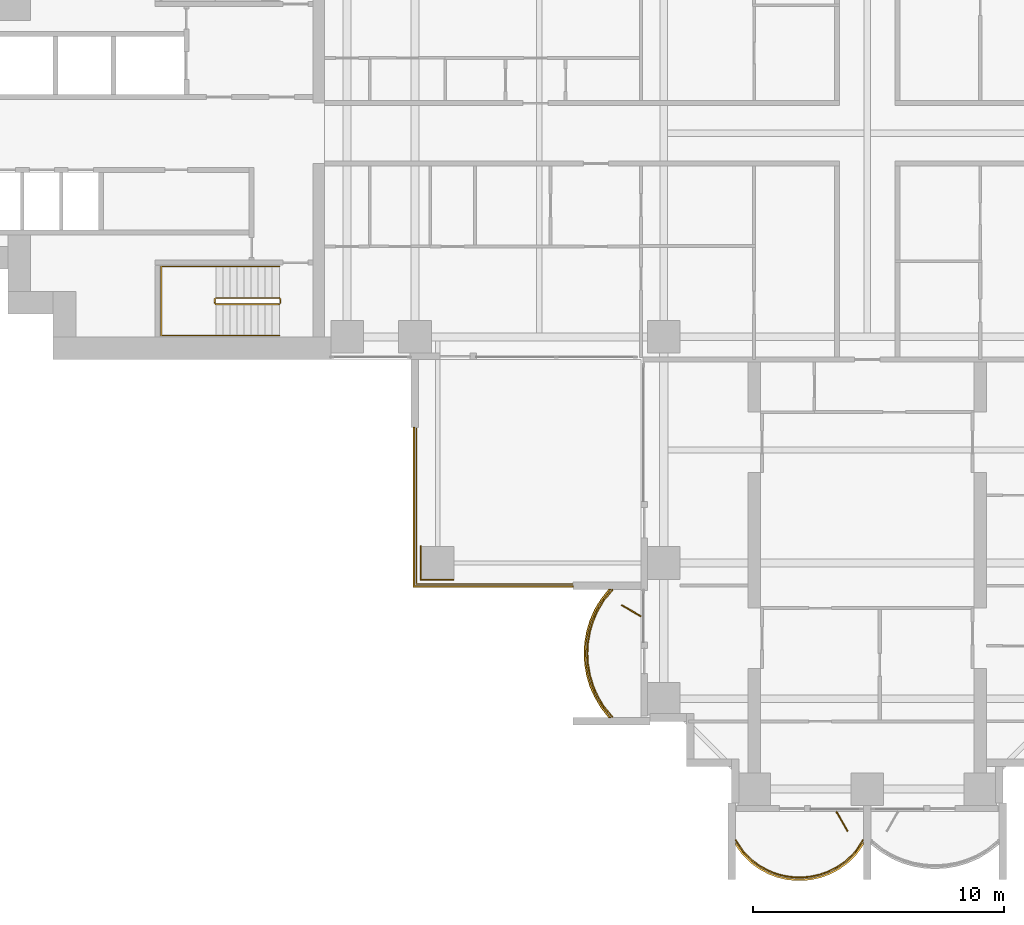
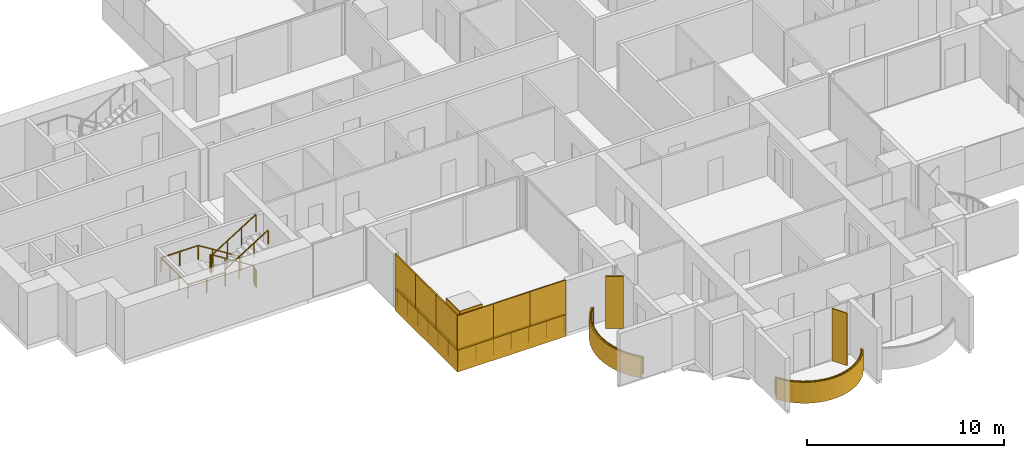
# One storey, part 17 of 21: 11 coverings, 5 railings, 2 shading devices.
"""IFC4 building model written with IfcOpenShell, lengths in metres."""

from ifc_helpers import new_model, si_unit, direction, frame, origin, origin_2d, place, context, subcontext, project, spatial, polyline, rectangle, outline, extrude, material, layer, layer_set, type_object, element, save


model = new_model("IFC4")

# Units and contexts
model_context = context("Model", 3, precision=1e-05, world=origin(), true_north=direction((0.0, 1.0)))
body_context = subcontext(model_context, "Body", "Model", "MODEL_VIEW")
ifc_project = project(units=[si_unit("LENGTHUNIT", "METRE"), si_unit("AREAUNIT", "SQUARE_METRE"), si_unit("VOLUMEUNIT", "CUBIC_METRE"), si_unit("PLANEANGLEUNIT", "RADIAN"), si_unit("MASSUNIT", "GRAM", prefix="KILO")], contexts=[model_context])

# Site, building, storey
site_placement = place(None, origin())
site = spatial("IfcSite", under=ifc_project, at=site_placement, CompositionType="ELEMENT")
building_placement = place(site_placement, origin())
building = spatial("IfcBuilding", under=site, at=building_placement, Name="Perihelion Cross Residences", CompositionType="ELEMENT")
storey_placement = place(building_placement, frame((0.0, 0.0, 54.0)))
storey = spatial("IfcBuildingStorey", under=building, at=storey_placement, Name="L10", CompositionType="ELEMENT", Elevation=54.0)

# Coverings
ifc_material_1 = material(Name="Bronze anodised aluminium", Category="aluminium")
ifc_layer_1 = layer(ifc_material_1, 0.070068359375)
ifc_layer_set_1 = layer_set([ifc_layer_1], Name="Balcony fascia 1300")
covering_type_1 = type_object("IfcCoveringType", Name="Balcony fascia 1300", PredefinedType="CLADDING", material=ifc_layer_set_1)
covering_1_placement = place(storey_placement, frame((0.0, 0.0, -0.199951171875)))
element("IfcCovering", 1, at=covering_1_placement, inside=storey, type_object=covering_type_1, Name="Fascia BF1 L10 south side west bay 2", PredefinedType="CLADDING", context=body_context, shape_type="SweptSolid", body=[
    extrude(outline(polyline([(-10.59765625, -18.53515625), (-10.85498046875, -18.96826171875), (-11.04248046875, -19.401123046875), (-11.170654296875, -19.833984375), (-11.245361328125, -20.26708984375), (-11.27001953125, -20.699951171875), (-11.245361328125, -21.133056640625), (-11.170654296875, -21.56591796875), (-11.04248046875, -21.998779296875), (-10.85498046875, -22.431884765625), (-10.59765625, -22.86474609375), (-10.28955078125, -23.25), (-10.199951171875, -23.25), (-10.5400390625, -22.824951171875), (-10.792724609375, -22.39990234375), (-10.9765625, -21.97509765625), (-11.1025390625, -21.550048828125), (-11.17578125, -21.125), (-11.199951171875, -20.699951171875), (-11.17578125, -20.27490234375), (-11.1025390625, -19.85009765625), (-10.9765625, -19.425048828125), (-10.792724609375, -19.0), (-10.5400390625, -18.574951171875), (-10.199951171875, -18.14990234375), (-10.28955078125, -18.14990234375), (-10.59765625, -18.53515625)])), origin(), (0.0, 0.0, 1.0), 1.300048828125),
])
covering_2_placement = place(storey_placement, frame((0.0, 0.0, -0.199951171875)))
element("IfcCovering", 2, at=covering_2_placement, inside=storey, type_object=covering_type_1, Name="Fascia BF1 L10 south tip south bay 1", PredefinedType="CLADDING", context=body_context, shape_type="SweptSolid", body=[
    extrude(outline(polyline([(-4.963134765625, -28.722412109375), (-4.61474609375, -29.060791015625), (-4.2666015625, -29.308837890625), (-3.91845703125, -29.4912109375), (-3.5703125, -29.620361328125), (-3.22216796875, -29.703369140625), (-2.8740234375, -29.743896484375), (-2.52587890625, -29.743896484375), (-2.177734375, -29.703369140625), (-1.82958984375, -29.620361328125), (-1.4814453125, -29.4912109375), (-1.13330078125, -29.308837890625), (-0.78515625, -29.060791015625), (-0.43701171875, -28.722412109375), (-0.14990234375, -28.320556640625), (-0.14990234375, -28.199951171875), (-0.489990234375, -28.6767578125), (-0.830078125, -29.007080078125), (-1.169921875, -29.2490234375), (-1.510009765625, -29.42724609375), (-1.85009765625, -29.553466796875), (-2.18994140625, -29.63427734375), (-2.530029296875, -29.674072265625), (-2.8701171875, -29.674072265625), (-3.2099609375, -29.63427734375), (-3.550048828125, -29.553466796875), (-3.889892578125, -29.42724609375), (-4.22998046875, -29.2490234375), (-4.570068359375, -29.007080078125), (-4.909912109375, -28.6767578125), (-5.25, -28.199951171875), (-5.25, -28.320556640625), (-4.963134765625, -28.722412109375)])), origin(), (0.0, 0.0, 1.0), 1.300048828125),
])

# Railings
ifc_material_2 = material(Name="Bronze anodised aluminium", Category="aluminium")
railing_type_1 = type_object("IfcRailingType", Name="Balcony guard 1100", PredefinedType="GUARDRAIL", material=ifc_material_2)
railing_1_placement = place(storey_placement, frame((-10.139892578125, -18.175048828125, 0.0)))
element("IfcRailing", 3, at=railing_1_placement, inside=storey, type_object=railing_type_1, Name="Guard GU1 L10 south side west bay 2 balcony", PredefinedType="GUARDRAIL", context=body_context, shape_type="SweptSolid", body=[
    extrude(rectangle(XDim=0.048095703125, YDim=0.048095703125, at=origin_2d()), frame((0.0, 0.0, 1.076171875), z_axis=(-0.647837396648, -0.761778647315, 0.0), x_axis=(0.761778647315, -0.647837396648, 0.0)), (0.0, 0.0, 1.0), 0.52490234375),
    extrude(rectangle(XDim=0.048095703125, YDim=0.048095703125, at=origin_2d()), frame((-0.340087890625, -0.39990234375, 1.076171875), z_axis=(-0.511006381501, -0.859576918062, 0.0), x_axis=(0.859576918062, -0.511006381501, 0.0)), (0.0, 0.0, 1.0), 0.494384765625),
    extrude(rectangle(XDim=0.048095703125, YDim=0.048095703125, at=origin_2d()), frame((-0.5927734375, -0.824951171875, 1.076171875), z_axis=(-0.397415137459, -0.917638931453, 0.0), x_axis=(0.917638931453, -0.397415137459, 0.0)), (0.0, 0.0, 1.0), 0.463134765625),
    extrude(rectangle(XDim=0.048095703125, YDim=0.048095703125, at=origin_2d()), frame((-0.77685546875, -1.25, 1.076171875), z_axis=(-0.283656975924, -0.958925815697, 0.0), x_axis=(0.958925815697, -0.283656975924, 0.0)), (0.0, 0.0, 1.0), 0.443359375),
    extrude(rectangle(XDim=0.048095703125, YDim=0.048095703125, at=origin_2d()), frame((-0.902587890625, -1.675048828125, 1.076171875), z_axis=(-0.170456843651, -0.985365142702, 0.0), x_axis=(0.985365142702, -0.170456843651, 0.0)), (0.0, 0.0, 1.0), 0.43115234375),
    extrude(rectangle(XDim=0.048095703125, YDim=0.048095703125, at=origin_2d()), frame((-0.97607421875, -2.099853515625, 1.076171875), z_axis=(-0.056200523353, -0.9984195016, 0.0), x_axis=(0.9984195016, -0.056200523353, 0.0)), (0.0, 0.0, 1.0), 0.42578125),
    extrude(rectangle(XDim=0.048095703125, YDim=0.048095703125, at=origin_2d()), frame((-1.0, -2.52490234375, 1.076171875), z_axis=(0.056200523353, -0.9984195016, 0.0), x_axis=(0.9984195016, 0.056200523353, 0.0)), (0.0, 0.0, 1.0), 0.42578125),
    extrude(rectangle(XDim=0.048095703125, YDim=0.048095703125, at=origin_2d()), frame((-0.97607421875, -2.949951171875, 1.076171875), z_axis=(0.17036177859, -0.985381583142, 0.0), x_axis=(0.985381583142, 0.17036177859, 0.0)), (0.0, 0.0, 1.0), 0.431396484375),
    extrude(rectangle(XDim=0.048095703125, YDim=0.048095703125, at=origin_2d()), frame((-0.902587890625, -3.375, 1.076171875), z_axis=(0.283656975924, -0.958925815697, 0.0), x_axis=(0.958925815697, 0.283656975924, 0.0)), (0.0, 0.0, 1.0), 0.443359375),
    extrude(rectangle(XDim=0.048095703125, YDim=0.048095703125, at=origin_2d()), frame((-0.77685546875, -3.800048828125, 1.076171875), z_axis=(0.397607437634, -0.91755562531, 0.0), x_axis=(0.91755562531, 0.397607437634, 0.0)), (0.0, 0.0, 1.0), 0.462890625),
    extrude(rectangle(XDim=0.048095703125, YDim=0.048095703125, at=origin_2d()), frame((-0.5927734375, -4.224853515625, 1.076171875), z_axis=(0.511006381501, -0.859576918062, 0.0), x_axis=(0.859576918062, 0.511006381501, 0.0)), (0.0, 0.0, 1.0), 0.494384765625),
    extrude(rectangle(XDim=0.048095703125, YDim=0.048095703125, at=origin_2d()), frame((-0.340087890625, -4.64990234375, 1.076171875), z_axis=(0.647607934281, -0.761973728849, 0.0), x_axis=(0.761973728849, 0.647607934281, 0.0)), (0.0, 0.0, 1.0), 0.525146484375),
    extrude(rectangle(XDim=0.0419921875, YDim=0.0419921875, at=origin_2d()), origin(), (0.0, 0.0, 1.0), 1.052001953125),
    extrude(rectangle(XDim=0.0419921875, YDim=0.0419921875, at=origin_2d()), frame((-0.340087890625, -0.39990234375, 0.0)), (0.0, 0.0, 1.0), 1.052001953125),
    extrude(rectangle(XDim=0.0419921875, YDim=0.0419921875, at=origin_2d()), frame((-0.5927734375, -0.824951171875, 0.0)), (0.0, 0.0, 1.0), 1.052001953125),
    extrude(rectangle(XDim=0.0419921875, YDim=0.0419921875, at=origin_2d()), frame((-0.77685546875, -1.25, 0.0)), (0.0, 0.0, 1.0), 1.052001953125),
    extrude(rectangle(XDim=0.0419921875, YDim=0.0419921875, at=origin_2d()), frame((-0.902587890625, -1.675048828125, 0.0)), (0.0, 0.0, 1.0), 1.052001953125),
    extrude(rectangle(XDim=0.0419921875, YDim=0.0419921875, at=origin_2d()), frame((-0.97607421875, -2.099853515625, 0.0)), (0.0, 0.0, 1.0), 1.052001953125),
    extrude(rectangle(XDim=0.0419921875, YDim=0.0419921875, at=origin_2d()), frame((-1.0, -2.52490234375, 0.0)), (0.0, 0.0, 1.0), 1.052001953125),
    extrude(rectangle(XDim=0.0419921875, YDim=0.0419921875, at=origin_2d()), frame((-0.97607421875, -2.949951171875, 0.0)), (0.0, 0.0, 1.0), 1.052001953125),
    extrude(rectangle(XDim=0.0419921875, YDim=0.0419921875, at=origin_2d()), frame((-0.902587890625, -3.375, 0.0)), (0.0, 0.0, 1.0), 1.052001953125),
    extrude(rectangle(XDim=0.0419921875, YDim=0.0419921875, at=origin_2d()), frame((-0.77685546875, -3.800048828125, 0.0)), (0.0, 0.0, 1.0), 1.052001953125),
    extrude(rectangle(XDim=0.0419921875, YDim=0.0419921875, at=origin_2d()), frame((-0.5927734375, -4.224853515625, 0.0)), (0.0, 0.0, 1.0), 1.052001953125),
    extrude(rectangle(XDim=0.0419921875, YDim=0.0419921875, at=origin_2d()), frame((-0.340087890625, -4.64990234375, 0.0)), (0.0, 0.0, 1.0), 1.052001953125),
    extrude(rectangle(XDim=0.0419921875, YDim=0.0419921875, at=origin_2d()), frame((0.0, -5.050048828125, 0.0)), (0.0, 0.0, 1.0), 1.052001953125),
])
railing_2_placement = place(storey_placement, frame((-5.22509765625, -28.139892578125, 0.0)))
element("IfcRailing", 4, at=railing_2_placement, inside=storey, type_object=railing_type_1, Name="Guard GU1 L10 south tip south bay 1 balcony", PredefinedType="GUARDRAIL", context=body_context, shape_type="SweptSolid", body=[
    extrude(rectangle(XDim=0.048095703125, YDim=0.048095703125, at=origin_2d()), frame((0.0, 0.0, 1.076171875), z_axis=(0.55144309028, -0.834212513801, 0.0), x_axis=(0.834212513801, 0.55144309028, 0.0)), (0.0, 0.0, 1.0), 0.571533203125),
    extrude(rectangle(XDim=0.048095703125, YDim=0.048095703125, at=origin_2d()), frame((0.315185546875, -0.476806640625, 1.076171875), z_axis=(0.717080736691, -0.696990112603, 0.0), x_axis=(0.696990112603, 0.717080736691, 0.0)), (0.0, 0.0, 1.0), 0.473876953125),
    extrude(rectangle(XDim=0.048095703125, YDim=0.048095703125, at=origin_2d()), frame((0.655029296875, -0.80712890625, 1.076171875), z_axis=(0.814562360662, -0.580075995532, 0.0), x_axis=(0.580075995532, 0.814562360662, 0.0)), (0.0, 0.0, 1.0), 0.41748046875),
    extrude(rectangle(XDim=0.048095703125, YDim=0.048095703125, at=origin_2d()), frame((0.9951171875, -1.04931640625, 1.076171875), z_axis=(0.886005761733, -0.463674228502, 0.0), x_axis=(0.463674228502, 0.886005761733, 0.0)), (0.0, 0.0, 1.0), 0.3837890625),
    extrude(rectangle(XDim=0.048095703125, YDim=0.048095703125, at=origin_2d()), frame((1.335205078125, -1.227294921875, 1.076171875), z_axis=(0.937431552165, -0.348169621027, 0.0), x_axis=(0.348169621027, 0.937431552165, 0.0)), (0.0, 0.0, 1.0), 0.362548828125),
    extrude(rectangle(XDim=0.048095703125, YDim=0.048095703125, at=origin_2d()), frame((1.675048828125, -1.353515625, 1.076171875), z_axis=(0.972753741142, -0.231840805498, 0.0), x_axis=(0.231840805498, 0.972753741142, 0.0)), (0.0, 0.0, 1.0), 0.349609375),
    extrude(rectangle(XDim=0.048095703125, YDim=0.048095703125, at=origin_2d()), frame((2.01513671875, -1.4345703125, 1.076171875), z_axis=(0.993295952156, -0.11559909788, 0.0), x_axis=(0.11559909788, 0.993295952156, 0.0)), (0.0, 0.0, 1.0), 0.342041015625),
    extrude(rectangle(XDim=0.048095703125, YDim=0.048095703125, at=origin_2d()), frame((2.35498046875, -1.47412109375, 1.076171875), z_axis=(1.0, 0.0, 0.0), x_axis=(0.0, 1.0, 0.0)), (0.0, 0.0, 1.0), 0.340087890625),
    extrude(rectangle(XDim=0.048095703125, YDim=0.048095703125, at=origin_2d()), frame((2.695068359375, -1.47412109375, 1.076171875), z_axis=(0.993305477634, 0.11551721994, 0.0), x_axis=(-0.11551721994, 0.993305477634, 0.0)), (0.0, 0.0, 1.0), 0.34228515625),
    extrude(rectangle(XDim=0.048095703125, YDim=0.048095703125, at=origin_2d()), frame((3.03515625, -1.4345703125, 1.076171875), z_axis=(0.972716168284, 0.231998396458, 0.0), x_axis=(-0.231998396458, 0.972716168284, 0.0)), (0.0, 0.0, 1.0), 0.349365234375),
    extrude(rectangle(XDim=0.048095703125, YDim=0.048095703125, at=origin_2d()), frame((3.375, -1.353515625, 1.076171875), z_axis=(0.93751311099, 0.347949948587, 0.0), x_axis=(-0.347949948587, 0.93751311099, 0.0)), (0.0, 0.0, 1.0), 0.36279296875),
    extrude(rectangle(XDim=0.048095703125, YDim=0.048095703125, at=origin_2d()), frame((3.715087890625, -1.227294921875, 1.076171875), z_axis=(0.886005761733, 0.463674228502, 0.0), x_axis=(-0.463674228502, 0.886005761733, 0.0)), (0.0, 0.0, 1.0), 0.3837890625),
    extrude(rectangle(XDim=0.048095703125, YDim=0.048095703125, at=origin_2d()), frame((4.05517578125, -1.04931640625, 1.076171875), z_axis=(0.814365457194, 0.580352394782, 0.0), x_axis=(-0.580352394782, 0.814365457194, 0.0)), (0.0, 0.0, 1.0), 0.417236328125),
    extrude(rectangle(XDim=0.048095703125, YDim=0.048095703125, at=origin_2d()), frame((4.39501953125, -0.80712890625, 1.076171875), z_axis=(0.717330852669, 0.69673269466, 0.0), x_axis=(-0.69673269466, 0.717330852669, 0.0)), (0.0, 0.0, 1.0), 0.47412109375),
    extrude(rectangle(XDim=0.048095703125, YDim=0.048095703125, at=origin_2d()), frame((4.735107421875, -0.476806640625, 1.076171875), z_axis=(0.551145731138, 0.834409002258, 0.0), x_axis=(-0.834409002258, 0.551145731138, 0.0)), (0.0, 0.0, 1.0), 0.571533203125),
    extrude(rectangle(XDim=0.0419921875, YDim=0.0419921875, at=origin_2d()), origin(), (0.0, 0.0, 1.0), 1.052001953125),
    extrude(rectangle(XDim=0.0419921875, YDim=0.0419921875, at=origin_2d()), frame((0.315185546875, -0.476806640625, 0.0)), (0.0, 0.0, 1.0), 1.052001953125),
    extrude(rectangle(XDim=0.0419921875, YDim=0.0419921875, at=origin_2d()), frame((0.655029296875, -0.80712890625, 0.0)), (0.0, 0.0, 1.0), 1.052001953125),
    extrude(rectangle(XDim=0.0419921875, YDim=0.0419921875, at=origin_2d()), frame((0.9951171875, -1.04931640625, 0.0)), (0.0, 0.0, 1.0), 1.052001953125),
    extrude(rectangle(XDim=0.0419921875, YDim=0.0419921875, at=origin_2d()), frame((1.335205078125, -1.227294921875, 0.0)), (0.0, 0.0, 1.0), 1.052001953125),
    extrude(rectangle(XDim=0.0419921875, YDim=0.0419921875, at=origin_2d()), frame((1.675048828125, -1.353515625, 0.0)), (0.0, 0.0, 1.0), 1.052001953125),
    extrude(rectangle(XDim=0.0419921875, YDim=0.0419921875, at=origin_2d()), frame((2.01513671875, -1.4345703125, 0.0)), (0.0, 0.0, 1.0), 1.052001953125),
    extrude(rectangle(XDim=0.0419921875, YDim=0.0419921875, at=origin_2d()), frame((2.35498046875, -1.47412109375, 0.0)), (0.0, 0.0, 1.0), 1.052001953125),
    extrude(rectangle(XDim=0.0419921875, YDim=0.0419921875, at=origin_2d()), frame((2.695068359375, -1.47412109375, 0.0)), (0.0, 0.0, 1.0), 1.052001953125),
    extrude(rectangle(XDim=0.0419921875, YDim=0.0419921875, at=origin_2d()), frame((3.03515625, -1.4345703125, 0.0)), (0.0, 0.0, 1.0), 1.052001953125),
    extrude(rectangle(XDim=0.0419921875, YDim=0.0419921875, at=origin_2d()), frame((3.375, -1.353515625, 0.0)), (0.0, 0.0, 1.0), 1.052001953125),
    extrude(rectangle(XDim=0.0419921875, YDim=0.0419921875, at=origin_2d()), frame((3.715087890625, -1.227294921875, 0.0)), (0.0, 0.0, 1.0), 1.052001953125),
    extrude(rectangle(XDim=0.0419921875, YDim=0.0419921875, at=origin_2d()), frame((4.05517578125, -1.04931640625, 0.0)), (0.0, 0.0, 1.0), 1.052001953125),
    extrude(rectangle(XDim=0.0419921875, YDim=0.0419921875, at=origin_2d()), frame((4.39501953125, -0.80712890625, 0.0)), (0.0, 0.0, 1.0), 1.052001953125),
    extrude(rectangle(XDim=0.0419921875, YDim=0.0419921875, at=origin_2d()), frame((4.735107421875, -0.476806640625, 0.0)), (0.0, 0.0, 1.0), 1.052001953125),
    extrude(rectangle(XDim=0.0419921875, YDim=0.0419921875, at=origin_2d()), frame((5.050048828125, 0.0, 0.0)), (0.0, 0.0, 1.0), 1.052001953125),
])
railing_3_placement = place(storey_placement, frame((-11.739990234375, -17.93994140625, 0.0)))
element("IfcRailing", 5, at=railing_3_placement, inside=storey, type_object=railing_type_1, Name="Guard GU1 L10 pocket south-west 1", PredefinedType="GUARDRAIL", context=body_context, shape_type="SweptSolid", body=[
    extrude(rectangle(XDim=0.048095703125, YDim=0.048095703125, at=origin_2d()), frame((0.0, 0.0, 1.076171875), z_axis=(-1.0, 0.0, 0.0), x_axis=(0.0, -1.0, 0.0)), (0.0, 0.0, 1.0), 6.199951171875),
    extrude(rectangle(XDim=0.048095703125, YDim=0.048095703125, at=origin_2d()), frame((-6.199951171875, 0.0, 1.076171875), z_axis=(0.0, 1.0, 0.0), x_axis=(-1.0, 0.0, 0.0)), (0.0, 0.0, 1.0), 6.199951171875),
    extrude(rectangle(XDim=0.0419921875, YDim=0.0419921875, at=origin_2d()), origin(), (0.0, 0.0, 1.0), 1.052001953125),
    extrude(rectangle(XDim=0.0419921875, YDim=0.0419921875, at=origin_2d()), frame((-1.033203125, 0.0, 0.0)), (0.0, 0.0, 1.0), 1.052001953125),
    extrude(rectangle(XDim=0.0419921875, YDim=0.0419921875, at=origin_2d()), frame((-2.066650390625, 0.0, 0.0)), (0.0, 0.0, 1.0), 1.052001953125),
    extrude(rectangle(XDim=0.0419921875, YDim=0.0419921875, at=origin_2d()), frame((-3.10009765625, 0.0, 0.0)), (0.0, 0.0, 1.0), 1.052001953125),
    extrude(rectangle(XDim=0.0419921875, YDim=0.0419921875, at=origin_2d()), frame((-4.13330078125, 0.0, 0.0)), (0.0, 0.0, 1.0), 1.052001953125),
    extrude(rectangle(XDim=0.0419921875, YDim=0.0419921875, at=origin_2d()), frame((-5.16650390625, 0.0, 0.0)), (0.0, 0.0, 1.0), 1.052001953125),
    extrude(rectangle(XDim=0.0419921875, YDim=0.0419921875, at=origin_2d()), frame((-6.199951171875, 0.0, 0.0)), (0.0, 0.0, 1.0), 1.052001953125),
    extrude(rectangle(XDim=0.0419921875, YDim=0.0419921875, at=origin_2d()), frame((-6.199951171875, 1.033203125, 0.0)), (0.0, 0.0, 1.0), 1.052001953125),
    extrude(rectangle(XDim=0.0419921875, YDim=0.0419921875, at=origin_2d()), frame((-6.199951171875, 2.066650390625, 0.0)), (0.0, 0.0, 1.0), 1.052001953125),
    extrude(rectangle(XDim=0.0419921875, YDim=0.0419921875, at=origin_2d()), frame((-6.199951171875, 3.10009765625, 0.0)), (0.0, 0.0, 1.0), 1.052001953125),
    extrude(rectangle(XDim=0.0419921875, YDim=0.0419921875, at=origin_2d()), frame((-6.199951171875, 4.13330078125, 0.0)), (0.0, 0.0, 1.0), 1.052001953125),
    extrude(rectangle(XDim=0.0419921875, YDim=0.0419921875, at=origin_2d()), frame((-6.199951171875, 5.16650390625, 0.0)), (0.0, 0.0, 1.0), 1.052001953125),
    extrude(rectangle(XDim=0.0419921875, YDim=0.0419921875, at=origin_2d()), frame((-6.199951171875, 6.199951171875, 0.0)), (0.0, 0.0, 1.0), 1.052001953125),
])

# Coverings
ifc_material_3 = material(Name="Bronze anodised aluminium", Category="aluminium")
ifc_layer_2 = layer(ifc_material_3, 0.0400390625)
ifc_layer_set_2 = layer_set([ifc_layer_2], Name="Bronze column casing 40")
covering_type_2 = type_object("IfcCoveringType", Name="Bronze column casing 40", PredefinedType="CLADDING", material=ifc_layer_set_2)
covering_3_placement = place(storey_placement, frame((-17.77001953125, -17.10009765625, -0.25), z_axis=(0.0, 0.0, 1.0), x_axis=(1.0, 0.0, 0.0)))
element("IfcCovering", 6, at=covering_3_placement, inside=storey, type_object=covering_type_2, Name="Cladding CC1 L10 casing east-west no. 1", PredefinedType="CLADDING", context=body_context, shape_type="SweptSolid", body=[
    extrude(rectangle(XDim=0.0400390625, YDim=1.3798828125, at=origin_2d()), origin(), (0.0, 0.0, 1.0), 3.5),
])
covering_4_placement = place(storey_placement, frame((-17.10009765625, -17.77001953125, -0.25), z_axis=(0.0, 0.0, 1.0), x_axis=(1.0, 0.0, 0.0)))
element("IfcCovering", 7, at=covering_4_placement, inside=storey, type_object=covering_type_2, Name="Cladding CC1 L10 casing north-south no. 1", PredefinedType="CLADDING", context=body_context, shape_type="SweptSolid", body=[
    extrude(rectangle(XDim=1.300048828125, YDim=0.0400390625, at=origin_2d()), origin(), (0.0, 0.0, 1.0), 3.5),
])

# Shading devices
ifc_material_4 = material(Name="Bronze anodised aluminium", Category="aluminium")
ifc_layer_3 = layer(ifc_material_4, 0.050048828125)
ifc_layer_set_3 = layer_set([ifc_layer_3], Name="Bronze fin 900")
shading_device_type = type_object("IfcShadingDeviceType", Name="Bronze fin 900", PredefinedType="USERDEFINED", material=ifc_layer_set_3)
for number, where, z_axis, x_axis, name in (
    (8, (-9.3896484375, -19.0, 0.0), (0.0, 0.0, 1.0), (-0.866025403784, 0.5, 0.0), "Fin FN1 L10 south side west bay 2"),
    (9, (-1.0, -27.3896484375, 0.0), (0.0, 0.0, 1.0), (0.5, -0.866025403784, 0.0), "Fin FN1 L10 south tip south bay 1"),
):
    element("IfcShadingDevice", number, at=place(storey_placement, frame(where, z_axis=z_axis, x_axis=x_axis)), inside=storey, type_object=shading_device_type, Name=name, ObjectType="FIN", PredefinedType="USERDEFINED", context=body_context, shape_type="SweptSolid", body=[
        extrude(rectangle(XDim=0.89990234375, YDim=0.050048828125, at=origin_2d()), origin(), (0.0, 0.0, 1.0), 3.25),
    ])

# Coverings
ifc_material_5 = material(Name="Bronze anodised aluminium", Category="aluminium")
ifc_layer_4 = layer(ifc_material_5, 0.070068359375)
ifc_layer_set_4 = layer_set([ifc_layer_4], Name="Pocket fascia 1350")
covering_type_3 = type_object("IfcCoveringType", Name="Pocket fascia 1350", PredefinedType="CLADDING", material=ifc_layer_set_4)
covering_5_placement = place(storey_placement, frame((0.0, 0.0, -0.25)))
element("IfcCovering", 10, at=covering_5_placement, inside=storey, type_object=covering_type_3, Name="Fascia BF2 L10 pocket south-west 1", PredefinedType="CLADDING", context=body_context, shape_type="SweptSolid", body=[
    extrude(outline(polyline([(-18.070068359375, -11.699951171875), (-18.070068359375, -18.070068359375), (-11.699951171875, -18.070068359375), (-11.699951171875, -18.0), (-18.0, -18.0), (-18.0, -11.699951171875), (-18.070068359375, -11.699951171875)])), origin(), (0.0, 0.0, 1.0), 1.35009765625),
])
ifc_material_6 = material(Name="Bronze perforated aluminium", Category="aluminium")
ifc_layer_5 = layer(ifc_material_6, 0.070068359375)
ifc_layer_set_5 = layer_set([ifc_layer_5], Name="Pocket solar screen, bronze perforated")
covering_type_4 = type_object("IfcCoveringType", Name="Pocket solar screen, bronze perforated", PredefinedType="CLADDING", material=ifc_layer_set_5)
covering_6_placement = place(storey_placement, frame((0.0, 0.0, 1.10009765625)))
element("IfcCovering", 11, at=covering_6_placement, inside=storey, type_object=covering_type_4, Name="Solar screen PS1 L10 pocket south-west no. 1", PredefinedType="CLADDING", context=body_context, shape_type="SweptSolid", body=[
    extrude(outline(polyline([(-18.0, -18.0), (-18.0, -15.89990234375), (-18.070068359375, -15.89990234375), (-18.070068359375, -18.0), (-18.0, -18.0)])), origin(), (0.0, 0.0, 1.0), 2.14990234375),
])
covering_7_placement = place(storey_placement, frame((0.0, 0.0, 1.10009765625)))
element("IfcCovering", 12, at=covering_7_placement, inside=storey, type_object=covering_type_4, Name="Solar screen PS1 L10 pocket south-west no. 2", PredefinedType="CLADDING", context=body_context, shape_type="SweptSolid", body=[
    extrude(outline(polyline([(-18.0, -15.89990234375), (-18.0, -13.800048828125), (-18.070068359375, -13.800048828125), (-18.070068359375, -15.89990234375), (-18.0, -15.89990234375)])), origin(), (0.0, 0.0, 1.0), 2.14990234375),
])
covering_8_placement = place(storey_placement, frame((0.0, 0.0, 1.10009765625)))
element("IfcCovering", 13, at=covering_8_placement, inside=storey, type_object=covering_type_4, Name="Solar screen PS1 L10 pocket south-west no. 3", PredefinedType="CLADDING", context=body_context, shape_type="SweptSolid", body=[
    extrude(outline(polyline([(-18.0, -13.800048828125), (-18.0, -11.699951171875), (-18.070068359375, -11.699951171875), (-18.070068359375, -13.800048828125), (-18.0, -13.800048828125)])), origin(), (0.0, 0.0, 1.0), 2.14990234375),
])
covering_9_placement = place(storey_placement, frame((0.0, 0.0, 1.10009765625)))
element("IfcCovering", 14, at=covering_9_placement, inside=storey, type_object=covering_type_4, Name="Solar screen PS1 L10 pocket south-west no. 4", PredefinedType="CLADDING", context=body_context, shape_type="SweptSolid", body=[
    extrude(outline(polyline([(-15.94677734375, -18.070068359375), (-15.94677734375, -18.0), (-18.070068359375, -18.0), (-18.070068359375, -18.070068359375), (-15.94677734375, -18.070068359375)])), origin(), (0.0, 0.0, 1.0), 2.14990234375),
])
covering_10_placement = place(storey_placement, frame((0.0, 0.0, 1.10009765625)))
element("IfcCovering", 15, at=covering_10_placement, inside=storey, type_object=covering_type_4, Name="Solar screen PS1 L10 pocket south-west no. 5", PredefinedType="CLADDING", context=body_context, shape_type="SweptSolid", body=[
    extrude(outline(polyline([(-13.8232421875, -18.070068359375), (-13.8232421875, -18.0), (-15.94677734375, -18.0), (-15.94677734375, -18.070068359375), (-13.8232421875, -18.070068359375)])), origin(), (0.0, 0.0, 1.0), 2.14990234375),
])
covering_11_placement = place(storey_placement, frame((0.0, 0.0, 1.10009765625)))
element("IfcCovering", 16, at=covering_11_placement, inside=storey, type_object=covering_type_4, Name="Solar screen PS1 L10 pocket south-west no. 6", PredefinedType="CLADDING", context=body_context, shape_type="SweptSolid", body=[
    extrude(outline(polyline([(-11.699951171875, -18.070068359375), (-11.699951171875, -18.0), (-13.8232421875, -18.0), (-13.8232421875, -18.070068359375), (-11.699951171875, -18.070068359375)])), origin(), (0.0, 0.0, 1.0), 2.14990234375),
])

# Railings
ifc_material_7 = material(Name="Stainless steel", Category="steel")
railing_type_2 = type_object("IfcRailingType", Name="Stair guard 1100", PredefinedType="GUARDRAIL", material=ifc_material_7)
railing_4_placement = place(storey_placement, frame((-23.35009765625, -6.75, 0.0)))
element("IfcRailing", 17, at=railing_4_placement, inside=storey, type_object=railing_type_2, Name="L10 ST-W2 stair guard 1", PredefinedType="GUARDRAIL", context=body_context, shape_type="SweptSolid", body=[
    extrude(rectangle(XDim=0.048095703125, YDim=0.048095703125, at=origin_2d()), frame((0.0, 0.0, 1.076171875), z_axis=(0.0, 1.0, 0.0), x_axis=(-1.0, 0.0, 0.0)), (0.0, 0.0, 1.0), 0.14990234375),
    extrude(rectangle(XDim=0.048095703125, YDim=0.048095703125, at=origin_2d()), frame((0.0, 0.14990234375, 1.076171875), z_axis=(-0.263862480399, 0.265155923931, 0.927399011991), x_axis=(-0.708833529934, -0.705375805398, 0.0)), (0.0, 0.0, 1.0), 0.188720703125),
    extrude(rectangle(XDim=0.048095703125, YDim=0.048095703125, at=origin_2d()), frame((-0.0498046875, 0.199951171875, 1.2509765625), z_axis=(-0.848007534815, 0.0, 0.529984170421), x_axis=(0.0, -1.0, 0.0)), (0.0, 0.0, 1.0), 2.9716796875),
    extrude(rectangle(XDim=0.048095703125, YDim=0.048095703125, at=origin_2d()), frame((-2.56982421875, 0.199951171875, 2.826171875), z_axis=(-0.707106781187, -0.707106781187, 0.0), x_axis=(0.707106781187, -0.707106781187, 0.0)), (0.0, 0.0, 1.0), 0.07080078125),
    extrude(rectangle(XDim=0.048095703125, YDim=0.048095703125, at=origin_2d()), frame((-2.619873046875, 0.14990234375, 2.826171875), z_axis=(0.0, -1.0, 0.0), x_axis=(1.0, 0.0, 0.0)), (0.0, 0.0, 1.0), 0.14990234375),
    extrude(rectangle(XDim=0.048095703125, YDim=0.048095703125, at=origin_2d()), frame((-2.619873046875, 0.0, 2.826171875), z_axis=(0.265065253269, -0.265065253269, 0.927081885822), x_axis=(0.707106781187, 0.707106781187, 0.0)), (0.0, 0.0, 1.0), 0.188720703125),
    extrude(rectangle(XDim=0.048095703125, YDim=0.048095703125, at=origin_2d()), frame((-2.56982421875, -0.050048828125, 3.0009765625), z_axis=(0.848007534815, 0.0, 0.529984170421), x_axis=(0.0, 1.0, 0.0)), (0.0, 0.0, 1.0), 2.9716796875),
    extrude(rectangle(XDim=0.0419921875, YDim=0.0419921875, at=origin_2d()), origin(), (0.0, 0.0, 1.0), 1.052001953125),
    extrude(rectangle(XDim=0.0419921875, YDim=0.0419921875, at=origin_2d()), frame((0.0, 0.14990234375, 0.0)), (0.0, 0.0, 1.0), 1.052001953125),
    extrude(rectangle(XDim=0.0419921875, YDim=0.0419921875, at=origin_2d()), frame((-0.0498046875, 0.199951171875, 0.175048828125)), (0.0, 0.0, 1.0), 1.052001953125),
    extrude(rectangle(XDim=0.0419921875, YDim=0.0419921875, at=origin_2d()), frame((-0.889892578125, 0.199951171875, 0.699951171875)), (0.0, 0.0, 1.0), 1.052001953125),
    extrude(rectangle(XDim=0.0419921875, YDim=0.0419921875, at=origin_2d()), frame((-1.729736328125, 0.199951171875, 1.22509765625)), (0.0, 0.0, 1.0), 1.052001953125),
    extrude(rectangle(XDim=0.0419921875, YDim=0.0419921875, at=origin_2d()), frame((-2.56982421875, 0.199951171875, 1.75)), (0.0, 0.0, 1.0), 1.052001953125),
    extrude(rectangle(XDim=0.0419921875, YDim=0.0419921875, at=origin_2d()), frame((-2.619873046875, 0.14990234375, 1.75)), (0.0, 0.0, 1.0), 1.052001953125),
    extrude(rectangle(XDim=0.0419921875, YDim=0.0419921875, at=origin_2d()), frame((-2.619873046875, 0.0, 1.75)), (0.0, 0.0, 1.0), 1.052001953125),
    extrude(rectangle(XDim=0.0419921875, YDim=0.0419921875, at=origin_2d()), frame((-2.56982421875, -0.050048828125, 1.925048828125)), (0.0, 0.0, 1.0), 1.052001953125),
    extrude(rectangle(XDim=0.0419921875, YDim=0.0419921875, at=origin_2d()), frame((-1.729736328125, -0.050048828125, 2.449951171875)), (0.0, 0.0, 1.0), 1.052001953125),
    extrude(rectangle(XDim=0.0419921875, YDim=0.0419921875, at=origin_2d()), frame((-0.889892578125, -0.050048828125, 2.97509765625)), (0.0, 0.0, 1.0), 1.052001953125),
    extrude(rectangle(XDim=0.0419921875, YDim=0.0419921875, at=origin_2d()), frame((-0.0498046875, -0.050048828125, 3.5)), (0.0, 0.0, 1.0), 1.052001953125),
])
ifc_material_8 = material(Name="Stainless steel", Category="steel")
railing_type_3 = type_object("IfcRailingType", Name="Stair handrail 900", PredefinedType="HANDRAIL", material=ifc_material_8)
railing_5_placement = place(storey_placement, frame((-23.39990234375, -5.300048828125, 0.175048828125)))
element("IfcRailing", 18, at=railing_5_placement, inside=storey, type_object=railing_type_3, Name="L10 ST-W2 stair handrail 1", PredefinedType="HANDRAIL", context=body_context, shape_type="SweptSolid", body=[
    extrude(rectangle(XDim=0.048095703125, YDim=0.048095703125, at=origin_2d()), frame((0.0, 0.0, 0.8759765625), z_axis=(-0.848007534815, 0.0, 0.529984170421), x_axis=(0.0, -1.0, 0.0)), (0.0, 0.0, 1.0), 2.9716796875),
    extrude(rectangle(XDim=0.048095703125, YDim=0.048095703125, at=origin_2d()), frame((-2.52001953125, 0.0, 2.45068359375), z_axis=(-1.0, 0.0, 0.0), x_axis=(0.0, -1.0, 0.0)), (0.0, 0.0, 1.0), 2.18017578125),
    extrude(rectangle(XDim=0.048095703125, YDim=0.048095703125, at=origin_2d()), frame((-4.7001953125, 0.0, 2.45068359375), z_axis=(0.0, -1.0, 0.0), x_axis=(1.0, 0.0, 0.0)), (0.0, 0.0, 1.0), 2.75),
    extrude(rectangle(XDim=0.048095703125, YDim=0.048095703125, at=origin_2d()), frame((-4.7001953125, -2.75, 2.45068359375), z_axis=(1.0, 0.0, 0.0), x_axis=(0.0, 1.0, 0.0)), (0.0, 0.0, 1.0), 2.18017578125),
    extrude(rectangle(XDim=0.048095703125, YDim=0.048095703125, at=origin_2d()), frame((-2.52001953125, -2.75, 2.45068359375), z_axis=(0.0, 0.0, 1.0), x_axis=(1.0, 0.0, 0.0)), (0.0, 0.0, 1.0), 0.175048828125),
    extrude(rectangle(XDim=0.048095703125, YDim=0.048095703125, at=origin_2d()), frame((-2.52001953125, -2.75, 2.6259765625), z_axis=(0.848007534815, 0.0, 0.529984170421), x_axis=(0.0, 1.0, 0.0)), (0.0, 0.0, 1.0), 2.9716796875),
    extrude(rectangle(XDim=0.0419921875, YDim=0.0419921875, at=origin_2d()), origin(), (0.0, 0.0, 1.0), 0.851806640625),
    extrude(rectangle(XDim=0.0419921875, YDim=0.0419921875, at=origin_2d()), frame((-0.840087890625, 0.0, 0.52490234375)), (0.0, 0.0, 1.0), 0.851806640625),
    extrude(rectangle(XDim=0.0419921875, YDim=0.0419921875, at=origin_2d()), frame((-1.679931640625, 0.0, 1.050048828125)), (0.0, 0.0, 1.0), 0.851806640625),
    extrude(rectangle(XDim=0.0419921875, YDim=0.0419921875, at=origin_2d()), frame((-2.52001953125, 0.0, 1.574951171875)), (0.0, 0.0, 1.0), 0.851806640625),
    extrude(rectangle(XDim=0.0419921875, YDim=0.0419921875, at=origin_2d()), frame((-3.610107421875, 0.0, 1.574951171875)), (0.0, 0.0, 1.0), 0.851806640625),
    extrude(rectangle(XDim=0.0419921875, YDim=0.0419921875, at=origin_2d()), frame((-4.7001953125, 0.0, 1.574951171875)), (0.0, 0.0, 1.0), 0.851806640625),
    extrude(rectangle(XDim=0.0419921875, YDim=0.0419921875, at=origin_2d()), frame((-4.7001953125, -0.916748046875, 1.574951171875)), (0.0, 0.0, 1.0), 0.851806640625),
    extrude(rectangle(XDim=0.0419921875, YDim=0.0419921875, at=origin_2d()), frame((-4.7001953125, -1.833251953125, 1.574951171875)), (0.0, 0.0, 1.0), 0.851806640625),
    extrude(rectangle(XDim=0.0419921875, YDim=0.0419921875, at=origin_2d()), frame((-4.7001953125, -2.75, 1.574951171875)), (0.0, 0.0, 1.0), 0.851806640625),
    extrude(rectangle(XDim=0.0419921875, YDim=0.0419921875, at=origin_2d()), frame((-3.610107421875, -2.75, 1.574951171875)), (0.0, 0.0, 1.0), 0.851806640625),
    extrude(rectangle(XDim=0.0419921875, YDim=0.0419921875, at=origin_2d()), frame((-2.52001953125, -2.75, 1.574951171875)), (0.0, 0.0, 1.0), 0.851806640625),
    extrude(rectangle(XDim=0.0419921875, YDim=0.0419921875, at=origin_2d()), frame((-2.52001953125, -2.75, 1.75)), (0.0, 0.0, 1.0), 0.851806640625),
    extrude(rectangle(XDim=0.0419921875, YDim=0.0419921875, at=origin_2d()), frame((-1.679931640625, -2.75, 2.27490234375)), (0.0, 0.0, 1.0), 0.851806640625),
    extrude(rectangle(XDim=0.0419921875, YDim=0.0419921875, at=origin_2d()), frame((-0.840087890625, -2.75, 2.800048828125)), (0.0, 0.0, 1.0), 0.851806640625),
    extrude(rectangle(XDim=0.0419921875, YDim=0.0419921875, at=origin_2d()), frame((0.0, -2.75, 3.324951171875)), (0.0, 0.0, 1.0), 0.851806640625),
])

save(model, "model.ifc")
